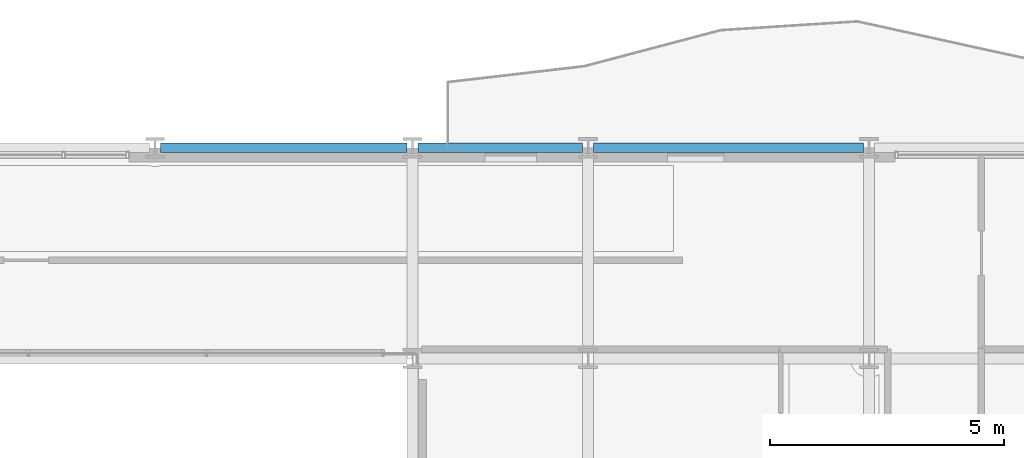
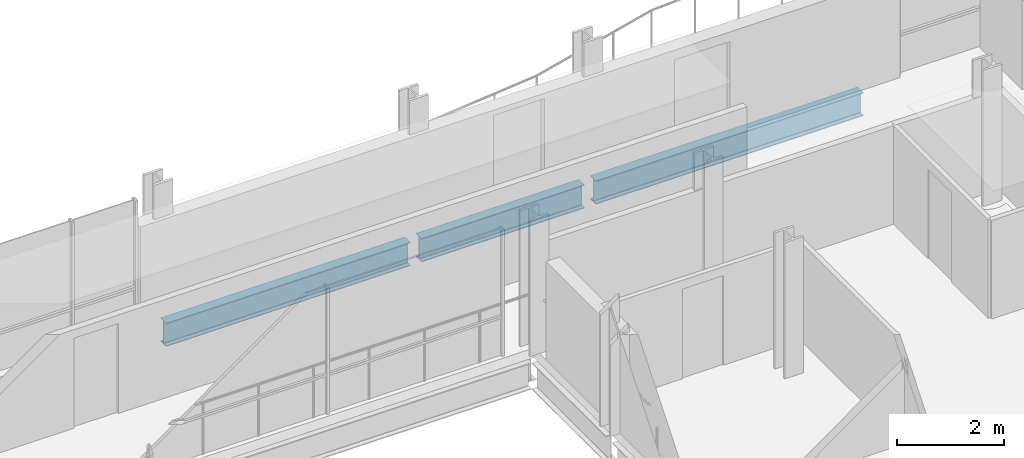
# One storey, part 23 of 41: 3 beams.
"""IFC4 building model written with IfcOpenShell, lengths in metres."""

from ifc_helpers import new_model, si_unit, direction, frame, origin, origin_2d, place, context, subcontext, project, spatial, i_section, extrude, material, material_profile, profile_set, type_object, element, save


model = new_model("IFC4")

# Units and contexts
model_context = context("Model", 3, precision=1e-05, world=origin(), true_north=direction((0.0, 1.0)))
body_context = subcontext(model_context, "Body", "Model", "MODEL_VIEW")
ifc_project = project(units=[si_unit("LENGTHUNIT", "METRE"), si_unit("AREAUNIT", "SQUARE_METRE"), si_unit("VOLUMEUNIT", "CUBIC_METRE"), si_unit("PLANEANGLEUNIT", "RADIAN"), si_unit("MASSUNIT", "GRAM", prefix="KILO")], contexts=[model_context])

# Site, building, storey
site_placement = place(None, origin())
site = spatial("IfcSite", under=ifc_project, at=site_placement, CompositionType="ELEMENT")
building_placement = place(site_placement, origin())
building = spatial("IfcBuilding", under=site, at=building_placement, Name="Brevholm Reach", CompositionType="ELEMENT")
storey_placement = place(building_placement, frame((0.0, 0.0, 112.800048828125)))
storey = spatial("IfcBuildingStorey", under=building, at=storey_placement, Name="L33", CompositionType="ELEMENT", Elevation=112.800048828125)

# Beams
ifc_material = material(Name="Structural Steel S355J2", Category="steel")
ifc_material_profile = material_profile(ifc_material, i_section(OverallWidth=0.209228515625, OverallDepth=0.533203125, WebThickness=0.010009765625, FlangeThickness=0.015625, FilletRadius=0.0126953125, at=origin_2d()), Name="UKB 533x210x92")
ifc_profile_set = profile_set([ifc_material_profile], Name="Structural Steel S355J2")
beam_type = type_object("IfcBeamType", Name="BM-SP533", PredefinedType="SPANDREL", material=ifc_profile_set)
beam_1_placement = place(storey_placement, frame((32.8701171875, 31.0, -0.486572265625), z_axis=(1.0, 0.0, 0.0), x_axis=(0.0, 1.0, 0.0)))
element("IfcBeam", 1, at=beam_1_placement, inside=storey, type_object=beam_type, Name="L33 SP-02 Framing Beam", PredefinedType="SPANDREL", context=body_context, shape_type="SweptSolid", body=[
    extrude(i_section(OverallWidth=0.209228515625, OverallDepth=0.533203125, WebThickness=0.010009765625, FlangeThickness=0.015625, FilletRadius=0.0126953125, at=origin_2d()), origin(), (0.0, 0.0, 1.0), 5.259765625),
])
beam_2_placement = place(storey_placement, frame((38.3701171875, 31.0, -0.486572265625), z_axis=(1.0, 0.0, 0.0), x_axis=(0.0, 1.0, 0.0)))
element("IfcBeam", 2, at=beam_2_placement, inside=storey, type_object=beam_type, Name="L33 SP-02 Framing Beam", PredefinedType="SPANDREL", context=body_context, shape_type="SweptSolid", body=[
    extrude(i_section(OverallWidth=0.209228515625, OverallDepth=0.533203125, WebThickness=0.010009765625, FlangeThickness=0.015625, FilletRadius=0.0126953125, at=origin_2d()), origin(), (0.0, 0.0, 1.0), 3.509765625),
])
beam_3_placement = place(storey_placement, frame((42.1201171875, 31.0, -0.486572265625), z_axis=(1.0, 0.0, 0.0), x_axis=(0.0, 1.0, 0.0)))
element("IfcBeam", 3, at=beam_3_placement, inside=storey, type_object=beam_type, Name="L33 SP-02 Framing Beam", PredefinedType="SPANDREL", context=body_context, shape_type="SweptSolid", body=[
    extrude(i_section(OverallWidth=0.209228515625, OverallDepth=0.533203125, WebThickness=0.010009765625, FlangeThickness=0.015625, FilletRadius=0.0126953125, at=origin_2d()), origin(), (0.0, 0.0, 1.0), 5.759765625),
])

save(model, "model.ifc")
